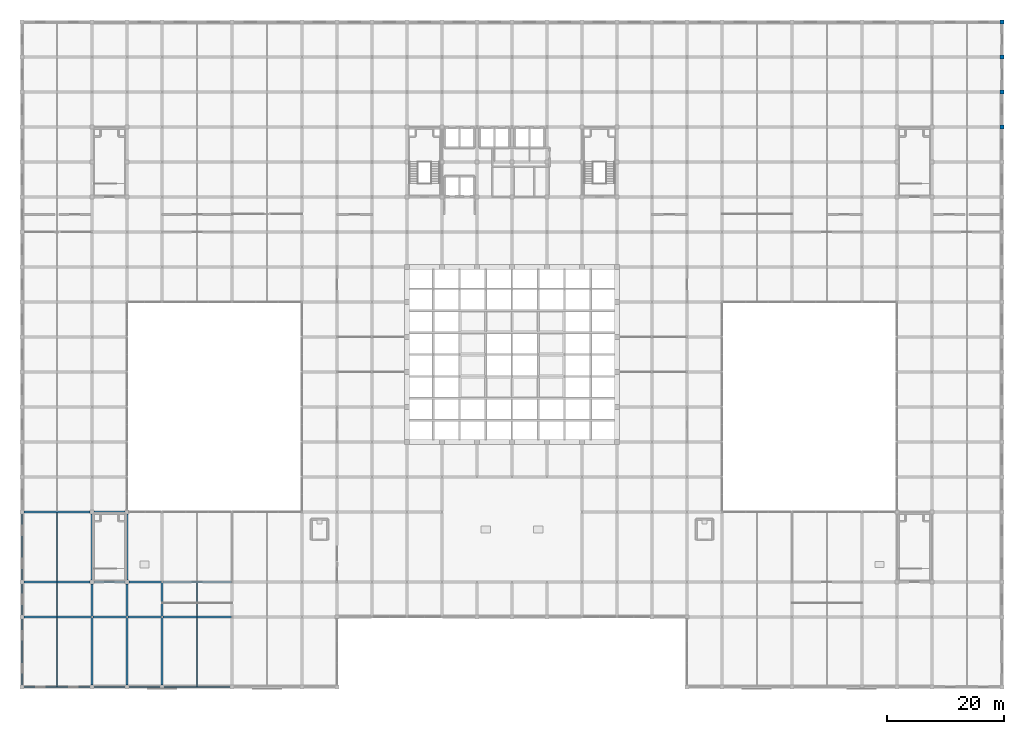
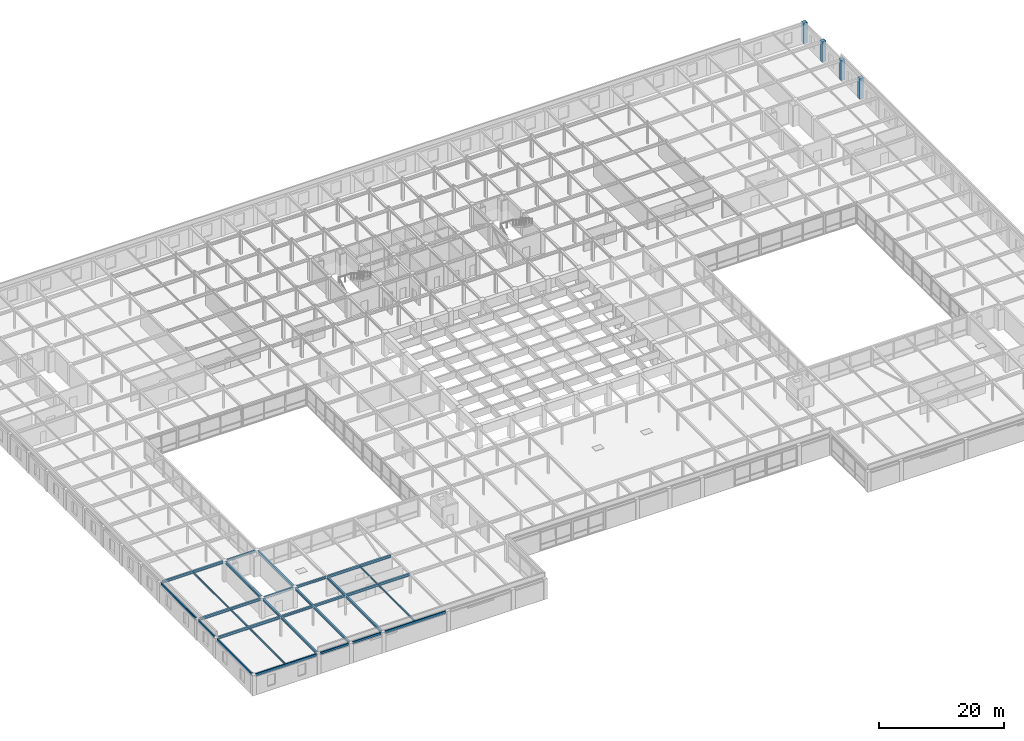
# One storey, part 28 of 111: 30 beams, 4 columns.
"""IFC4 building model written with IfcOpenShell, lengths in metres."""

from ifc_helpers import new_model, si_unit, direction, frame, origin, origin_2d, place, context, subcontext, project, spatial, rectangle, i_section, extrude, material, material_profile, profile_set, type_object, element, save


model = new_model("IFC4")

# Units and contexts
model_context = context("Model", 3, precision=1e-05, world=origin(), true_north=direction((0.0, 1.0)))
body_context = subcontext(model_context, "Body", "Model", "MODEL_VIEW")
ifc_project = project(units=[si_unit("LENGTHUNIT", "METRE"), si_unit("AREAUNIT", "SQUARE_METRE"), si_unit("VOLUMEUNIT", "CUBIC_METRE"), si_unit("PLANEANGLEUNIT", "RADIAN"), si_unit("MASSUNIT", "GRAM", prefix="KILO")], contexts=[model_context])

# Site, building, storey
site_placement = place(None, origin())
site = spatial("IfcSite", under=ifc_project, at=site_placement, CompositionType="ELEMENT")
building_placement = place(site_placement, origin())
building = spatial("IfcBuilding", under=site, at=building_placement, Name="Zlatovratsky Civic Hall", CompositionType="ELEMENT")
storey_placement = place(building_placement, frame((0.0, 0.0, 16.5)))
storey = spatial("IfcBuildingStorey", under=building, at=storey_placement, Name="L04", CompositionType="ELEMENT", Elevation=16.5)

# Columns
ifc_material_1 = material(Name="Concrete C35/45 (B40)", Category="concrete")
ifc_material_profile_1 = material_profile(ifc_material_1, rectangle(XDim=0.699951171875, YDim=0.699951171875, at=origin_2d()), Name="RC 700x700")
ifc_profile_set_1 = profile_set([ifc_material_profile_1], Name="Concrete C35/45 (B40)")
column_type = type_object("IfcColumnType", Name="Col_CorePier_RC700", PredefinedType="COLUMN", material=ifc_profile_set_1)
for number, where, z_axis, x_axis, name in (
    (1, (168.0, 96.0, 0.0), (0.0, 0.0, 1.0), (1.0, 0.0, 0.0), "CL-1843"),
    (2, (168.0, 102.0, 0.0), (0.0, 0.0, 1.0), (1.0, 0.0, 0.0), "CL-1866"),
    (3, (168.0, 108.0, 0.0), (0.0, 0.0, 1.0), (1.0, 0.0, 0.0), "CL-1889"),
    (4, (168.0, 114.0, 0.0), (0.0, 0.0, 1.0), (1.0, 0.0, 0.0), "CL-1912"),
):
    element("IfcColumn", number, at=place(storey_placement, frame(where, z_axis=z_axis, x_axis=x_axis)), inside=storey, type_object=column_type, Name=name, PredefinedType="COLUMN", context=body_context, shape_type="SweptSolid", body=[
        extrude(rectangle(XDim=0.699951171875, YDim=0.699951171875, at=origin_2d()), origin(), (0.0, 0.0, 1.0), 4.0),
    ])

# Beams
ifc_material_2 = material(Name="Steel S355", Category="steel")
ifc_material_profile_2 = material_profile(ifc_material_2, i_section(OverallWidth=0.300048828125, OverallDepth=0.487060546875, WebThickness=0.014404296875, FlangeThickness=0.017578125, FilletRadius=0.02392578125, at=origin_2d()), Name="50Sh2")
ifc_profile_set_2 = profile_set([ifc_material_profile_2], Name="Steel S355")
beam_type_1 = type_object("IfcBeamType", Name="Beam_ArchiveGirder_50Sh2", PredefinedType="BEAM", material=ifc_profile_set_2)
beam_1_placement = place(storey_placement, frame((0.35009765625, 12.0, 3.756591796875), z_axis=(1.0, 0.0, 0.0), x_axis=(0.0, 1.0, 0.0)))
element("IfcBeam", 5, at=beam_1_placement, inside=storey, type_object=beam_type_1, Name="BM-3212", PredefinedType="BEAM", context=body_context, shape_type="SweptSolid", body=[
    extrude(i_section(OverallWidth=0.300048828125, OverallDepth=0.487060546875, WebThickness=0.014404296875, FlangeThickness=0.017578125, FilletRadius=0.02392578125, at=origin_2d()), origin(), (0.0, 0.0, 1.0), 11.52490234375),
])
beam_2_placement = place(storey_placement, frame((24.125, 12.0, 3.756591796875), z_axis=(1.0, 0.0, 0.0), x_axis=(0.0, 1.0, 0.0)))
element("IfcBeam", 6, at=beam_2_placement, inside=storey, type_object=beam_type_1, Name="BM-3215", PredefinedType="BEAM", context=body_context, shape_type="SweptSolid", body=[
    extrude(i_section(OverallWidth=0.300048828125, OverallDepth=0.487060546875, WebThickness=0.014404296875, FlangeThickness=0.017578125, FilletRadius=0.02392578125, at=origin_2d()), origin(), (0.0, 0.0, 1.0), 11.75),
])
beam_3_placement = place(storey_placement, frame((0.35009765625, 18.0, 3.756591796875), z_axis=(1.0, 0.0, 0.0), x_axis=(0.0, 1.0, 0.0)))
element("IfcBeam", 7, at=beam_3_placement, inside=storey, type_object=beam_type_1, Name="BM-3234", PredefinedType="BEAM", context=body_context, shape_type="SweptSolid", body=[
    extrude(i_section(OverallWidth=0.300048828125, OverallDepth=0.487060546875, WebThickness=0.014404296875, FlangeThickness=0.017578125, FilletRadius=0.02392578125, at=origin_2d()), origin(), (0.0, 0.0, 1.0), 11.2998046875),
])
beam_4_placement = place(storey_placement, frame((24.125, 18.0, 3.756591796875), z_axis=(1.0, 0.0, 0.0), x_axis=(0.0, 1.0, 0.0)))
element("IfcBeam", 8, at=beam_4_placement, inside=storey, type_object=beam_type_1, Name="BM-3237", PredefinedType="BEAM", context=body_context, shape_type="SweptSolid", body=[
    extrude(i_section(OverallWidth=0.300048828125, OverallDepth=0.487060546875, WebThickness=0.014404296875, FlangeThickness=0.017578125, FilletRadius=0.02392578125, at=origin_2d()), origin(), (0.0, 0.0, 1.0), 11.75),
])
beam_5_placement = place(storey_placement, frame((0.35009765625, 30.0, 3.756591796875), z_axis=(1.0, 0.0, 0.0), x_axis=(0.0, 1.0, 0.0)))
element("IfcBeam", 9, at=beam_5_placement, inside=storey, type_object=beam_type_1, Name="BM-3256", PredefinedType="BEAM", context=body_context, shape_type="SweptSolid", body=[
    extrude(i_section(OverallWidth=0.300048828125, OverallDepth=0.487060546875, WebThickness=0.014404296875, FlangeThickness=0.017578125, FilletRadius=0.02392578125, at=origin_2d()), origin(), (0.0, 0.0, 1.0), 11.2998046875),
])
beam_6_placement = place(storey_placement, frame((12.0, 0.35009765625, 3.756591796875), z_axis=(0.0, 1.0, 0.0), x_axis=(-1.0, 0.0, 0.0)))
element("IfcBeam", 10, at=beam_6_placement, inside=storey, type_object=beam_type_1, Name="BM-3529", PredefinedType="BEAM", context=body_context, shape_type="SweptSolid", body=[
    extrude(i_section(OverallWidth=0.300048828125, OverallDepth=0.487060546875, WebThickness=0.014404296875, FlangeThickness=0.017578125, FilletRadius=0.02392578125, at=origin_2d()), origin(), (0.0, 0.0, 1.0), 11.52490234375),
])
beam_7_placement = place(storey_placement, frame((12.0, 18.35009765625, 3.756591796875), z_axis=(0.0, 1.0, 0.0), x_axis=(-1.0, 0.0, 0.0)))
element("IfcBeam", 11, at=beam_7_placement, inside=storey, type_object=beam_type_1, Name="BM-3531", PredefinedType="BEAM", context=body_context, shape_type="SweptSolid", body=[
    extrude(i_section(OverallWidth=0.300048828125, OverallDepth=0.487060546875, WebThickness=0.014404296875, FlangeThickness=0.017578125, FilletRadius=0.02392578125, at=origin_2d()), origin(), (0.0, 0.0, 1.0), 11.2998046875),
])
beam_8_placement = place(storey_placement, frame((18.0, 0.35009765625, 3.756591796875), z_axis=(0.0, 1.0, 0.0), x_axis=(-1.0, 0.0, 0.0)))
element("IfcBeam", 12, at=beam_8_placement, inside=storey, type_object=beam_type_1, Name="BM-3546", PredefinedType="BEAM", context=body_context, shape_type="SweptSolid", body=[
    extrude(i_section(OverallWidth=0.300048828125, OverallDepth=0.487060546875, WebThickness=0.014404296875, FlangeThickness=0.017578125, FilletRadius=0.02392578125, at=origin_2d()), origin(), (0.0, 0.0, 1.0), 11.52490234375),
])
beam_9_placement = place(storey_placement, frame((18.0, 18.35009765625, 3.756591796875), z_axis=(0.0, 1.0, 0.0), x_axis=(-1.0, 0.0, 0.0)))
element("IfcBeam", 13, at=beam_9_placement, inside=storey, type_object=beam_type_1, Name="BM-3548", PredefinedType="BEAM", context=body_context, shape_type="SweptSolid", body=[
    extrude(i_section(OverallWidth=0.300048828125, OverallDepth=0.487060546875, WebThickness=0.014404296875, FlangeThickness=0.017578125, FilletRadius=0.02392578125, at=origin_2d()), origin(), (0.0, 0.0, 1.0), 11.2998046875),
])
beam_10_placement = place(storey_placement, frame((24.0, 0.35009765625, 3.756591796875), z_axis=(0.0, 1.0, 0.0), x_axis=(-1.0, 0.0, 0.0)))
element("IfcBeam", 14, at=beam_10_placement, inside=storey, type_object=beam_type_1, Name="BM-3563", PredefinedType="BEAM", context=body_context, shape_type="SweptSolid", body=[
    extrude(i_section(OverallWidth=0.300048828125, OverallDepth=0.487060546875, WebThickness=0.014404296875, FlangeThickness=0.017578125, FilletRadius=0.02392578125, at=origin_2d()), origin(), (0.0, 0.0, 1.0), 11.52490234375),
])
ifc_material_profile_3 = material_profile(ifc_material_2, i_section(OverallWidth=0.198974609375, OverallDepth=0.491943359375, WebThickness=0.0087890625, FlangeThickness=0.011962890625, FilletRadius=0.01611328125, at=origin_2d()), Name="50B1")
ifc_profile_set_3 = profile_set([ifc_material_profile_3], Name="Steel S355")
beam_type_2 = type_object("IfcBeamType", Name="Beam_Spandrel_50B1", PredefinedType="SPANDREL", material=ifc_profile_set_3)
for number, where, z_axis, x_axis, name in (
    (15, (12.35009765625, 0.0, 3.75390625), (1.0, 0.0, 0.0), (0.0, 1.0, 0.0), "BM-3201"),
    (16, (18.35009765625, 0.0, 3.75390625), (1.0, 0.0, 0.0), (0.0, 1.0, 0.0), "BM-3202"),
    (17, (0.0, 12.35009765625, 3.75390625), (0.0, 1.0, 0.0), (-1.0, 0.0, 0.0), "BM-3513"),
):
    element("IfcBeam", number, at=place(storey_placement, frame(where, z_axis=z_axis, x_axis=x_axis)), inside=storey, type_object=beam_type_2, Name=name, PredefinedType="SPANDREL", context=body_context, shape_type="SweptSolid", body=[
        extrude(i_section(OverallWidth=0.198974609375, OverallDepth=0.491943359375, WebThickness=0.0087890625, FlangeThickness=0.011962890625, FilletRadius=0.01611328125, at=origin_2d()), origin(), (0.0, 0.0, 1.0), 5.2998046875),
    ])
ifc_material_profile_4 = material_profile(ifc_material_2, i_section(OverallWidth=0.219970703125, OverallDepth=0.54296875, WebThickness=0.009521484375, FlangeThickness=0.013427734375, FilletRadius=0.01806640625, at=origin_2d()), Name="55B1")
ifc_profile_set_4 = profile_set([ifc_material_profile_4], Name="Steel S355")
beam_type_3 = type_object("IfcBeamType", Name="Beam_Spandrel_55B1", PredefinedType="SPANDREL", material=ifc_profile_set_4)
for number, where, z_axis, x_axis, name in (
    (18, (0.35009765625, 0.0, 3.728515625), (1.0, 0.0, 0.0), (0.0, 1.0, 0.0), "BM-3200"),
    (19, (24.35009765625, 0.0, 3.728515625), (1.0, 0.0, 0.0), (0.0, 1.0, 0.0), "BM-3203"),
    (20, (0.0, 0.35009765625, 3.728515625), (0.0, 1.0, 0.0), (-1.0, 0.0, 0.0), "BM-3512"),
    (21, (0.0, 18.35009765625, 3.728515625), (0.0, 1.0, 0.0), (-1.0, 0.0, 0.0), "BM-3514"),
):
    element("IfcBeam", number, at=place(storey_placement, frame(where, z_axis=z_axis, x_axis=x_axis)), inside=storey, type_object=beam_type_3, Name=name, PredefinedType="SPANDREL", context=body_context, shape_type="SweptSolid", body=[
        extrude(i_section(OverallWidth=0.219970703125, OverallDepth=0.54296875, WebThickness=0.009521484375, FlangeThickness=0.013427734375, FilletRadius=0.01806640625, at=origin_2d()), origin(), (0.0, 0.0, 1.0), 11.2998046875),
    ])
ifc_material_profile_5 = material_profile(ifc_material_2, i_section(OverallWidth=0.300048828125, OverallDepth=0.43994140625, WebThickness=0.010986328125, FlangeThickness=0.01806640625, FilletRadius=0.02197265625, at=origin_2d()), Name="45Sh1")
ifc_profile_set_5 = profile_set([ifc_material_profile_5], Name="Steel S355")
beam_type_4 = type_object("IfcBeamType", Name="Beam_TowerLow_45Sh1", PredefinedType="BEAM", material=ifc_profile_set_5)
for number, where, z_axis, x_axis, name in (
    (22, (12.125, 12.0, 3.780029296875), (1.0, 0.0, 0.0), (0.0, 1.0, 0.0), "BM-3213"),
    (23, (18.125, 12.0, 3.780029296875), (1.0, 0.0, 0.0), (0.0, 1.0, 0.0), "BM-3214"),
):
    element("IfcBeam", number, at=place(storey_placement, frame(where, z_axis=z_axis, x_axis=x_axis)), inside=storey, type_object=beam_type_4, Name=name, PredefinedType="BEAM", context=body_context, shape_type="SweptSolid", body=[
        extrude(i_section(OverallWidth=0.300048828125, OverallDepth=0.43994140625, WebThickness=0.010986328125, FlangeThickness=0.01806640625, FilletRadius=0.02197265625, at=origin_2d()), origin(), (0.0, 0.0, 1.0), 5.75),
    ])
beam_11_placement = place(storey_placement, frame((12.35009765625, 18.0, 3.780029296875), z_axis=(1.0, 0.0, 0.0), x_axis=(0.0, 1.0, 0.0)))
element("IfcBeam", 24, at=beam_11_placement, inside=storey, type_object=beam_type_4, Name="BM-3235", PredefinedType="BEAM", context=body_context, shape_type="SweptSolid", body=[
    extrude(i_section(OverallWidth=0.300048828125, OverallDepth=0.43994140625, WebThickness=0.010986328125, FlangeThickness=0.01806640625, FilletRadius=0.02197265625, at=origin_2d()), origin(), (0.0, 0.0, 1.0), 5.2998046875),
])
beam_12_placement = place(storey_placement, frame((18.35009765625, 18.0, 3.780029296875), z_axis=(1.0, 0.0, 0.0), x_axis=(0.0, 1.0, 0.0)))
element("IfcBeam", 25, at=beam_12_placement, inside=storey, type_object=beam_type_4, Name="BM-3236", PredefinedType="BEAM", context=body_context, shape_type="SweptSolid", body=[
    extrude(i_section(OverallWidth=0.300048828125, OverallDepth=0.43994140625, WebThickness=0.010986328125, FlangeThickness=0.01806640625, FilletRadius=0.02197265625, at=origin_2d()), origin(), (0.0, 0.0, 1.0), 5.52490234375),
])
beam_13_placement = place(storey_placement, frame((12.35009765625, 30.0, 3.780029296875), z_axis=(1.0, 0.0, 0.0), x_axis=(0.0, 1.0, 0.0)))
element("IfcBeam", 26, at=beam_13_placement, inside=storey, type_object=beam_type_4, Name="BM-3257", PredefinedType="BEAM", context=body_context, shape_type="SweptSolid", body=[
    extrude(i_section(OverallWidth=0.300048828125, OverallDepth=0.43994140625, WebThickness=0.010986328125, FlangeThickness=0.01806640625, FilletRadius=0.02197265625, at=origin_2d()), origin(), (0.0, 0.0, 1.0), 5.2998046875),
])
for number, where, z_axis, x_axis, name in (
    (27, (12.0, 12.125, 3.780029296875), (0.0, 1.0, 0.0), (-1.0, 0.0, 0.0), "BM-3530"),
    (28, (18.0, 12.125, 3.780029296875), (0.0, 1.0, 0.0), (-1.0, 0.0, 0.0), "BM-3547"),
):
    element("IfcBeam", number, at=place(storey_placement, frame(where, z_axis=z_axis, x_axis=x_axis)), inside=storey, type_object=beam_type_4, Name=name, PredefinedType="BEAM", context=body_context, shape_type="SweptSolid", body=[
        extrude(i_section(OverallWidth=0.300048828125, OverallDepth=0.43994140625, WebThickness=0.010986328125, FlangeThickness=0.01806640625, FilletRadius=0.02197265625, at=origin_2d()), origin(), (0.0, 0.0, 1.0), 5.52490234375),
    ])
beam_14_placement = place(storey_placement, frame((24.0, 12.125, 3.780029296875), z_axis=(0.0, 1.0, 0.0), x_axis=(-1.0, 0.0, 0.0)))
element("IfcBeam", 29, at=beam_14_placement, inside=storey, type_object=beam_type_4, Name="BM-3564", PredefinedType="BEAM", context=body_context, shape_type="SweptSolid", body=[
    extrude(i_section(OverallWidth=0.300048828125, OverallDepth=0.43994140625, WebThickness=0.010986328125, FlangeThickness=0.01806640625, FilletRadius=0.02197265625, at=origin_2d()), origin(), (0.0, 0.0, 1.0), 5.75),
])
ifc_material_profile_6 = material_profile(ifc_material_2, i_section(OverallWidth=0.155029296875, OverallDepth=0.345947265625, WebThickness=0.006103515625, FlangeThickness=0.008544921875, FilletRadius=0.013916015625, at=origin_2d()), Name="35B1")
ifc_profile_set_6 = profile_set([ifc_material_profile_6], Name="Steel S355")
beam_type_5 = type_object("IfcBeamType", Name="Joist_Podium_35B1", PredefinedType="JOIST", material=ifc_profile_set_6)
for number, where, z_axis, x_axis, name in (
    (30, (6.0, 0.110107421875, 3.826904296875), (0.0, 1.0, 0.0), (-1.0, 0.0, 0.0), "BM-3829"),
    (31, (30.0, 0.110107421875, 3.826904296875), (0.0, 1.0, 0.0), (-1.0, 0.0, 0.0), "BM-3830"),
):
    element("IfcBeam", number, at=place(storey_placement, frame(where, z_axis=z_axis, x_axis=x_axis)), inside=storey, type_object=beam_type_5, Name=name, PredefinedType="JOIST", context=body_context, shape_type="SweptSolid", body=[
        extrude(i_section(OverallWidth=0.155029296875, OverallDepth=0.345947265625, WebThickness=0.006103515625, FlangeThickness=0.008544921875, FilletRadius=0.013916015625, at=origin_2d()), origin(), (0.0, 0.0, 1.0), 11.739990234375),
    ])
beam_15_placement = place(storey_placement, frame((6.0, 18.14990234375, 3.826904296875), z_axis=(0.0, 1.0, 0.0), x_axis=(-1.0, 0.0, 0.0)))
element("IfcBeam", 32, at=beam_15_placement, inside=storey, type_object=beam_type_5, Name="BM-3841", PredefinedType="JOIST", context=body_context, shape_type="SweptSolid", body=[
    extrude(i_section(OverallWidth=0.155029296875, OverallDepth=0.345947265625, WebThickness=0.006103515625, FlangeThickness=0.008544921875, FilletRadius=0.013916015625, at=origin_2d()), origin(), (0.0, 0.0, 1.0), 11.7001953125),
])
ifc_material_profile_7 = material_profile(ifc_material_2, i_section(OverallWidth=0.14892578125, OverallDepth=0.2958984375, WebThickness=0.005615234375, FlangeThickness=0.008056640625, FilletRadius=0.012939453125, at=origin_2d()), Name="30B1")
ifc_profile_set_7 = profile_set([ifc_material_profile_7], Name="Steel S355")
beam_type_6 = type_object("IfcBeamType", Name="Joist_Tower_30B1", PredefinedType="JOIST", material=ifc_profile_set_7)
for number, where, z_axis, x_axis, name in (
    (33, (6.0, 12.14990234375, 3.85205078125), (0.0, 1.0, 0.0), (-1.0, 0.0, 0.0), "BM-3835"),
    (34, (30.0, 12.14990234375, 3.85205078125), (0.0, 1.0, 0.0), (-1.0, 0.0, 0.0), "BM-3836"),
):
    element("IfcBeam", number, at=place(storey_placement, frame(where, z_axis=z_axis, x_axis=x_axis)), inside=storey, type_object=beam_type_6, Name=name, PredefinedType="JOIST", context=body_context, shape_type="SweptSolid", body=[
        extrude(i_section(OverallWidth=0.14892578125, OverallDepth=0.2958984375, WebThickness=0.005615234375, FlangeThickness=0.008056640625, FilletRadius=0.012939453125, at=origin_2d()), origin(), (0.0, 0.0, 1.0), 5.7001953125),
    ])

save(model, "model.ifc")
